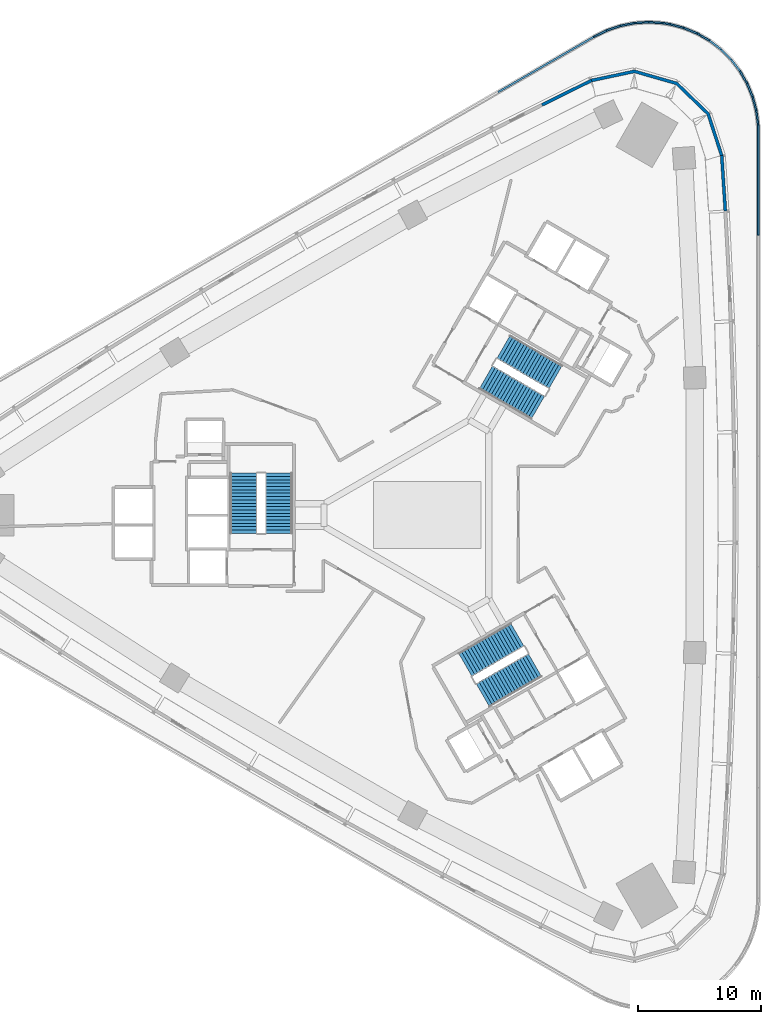
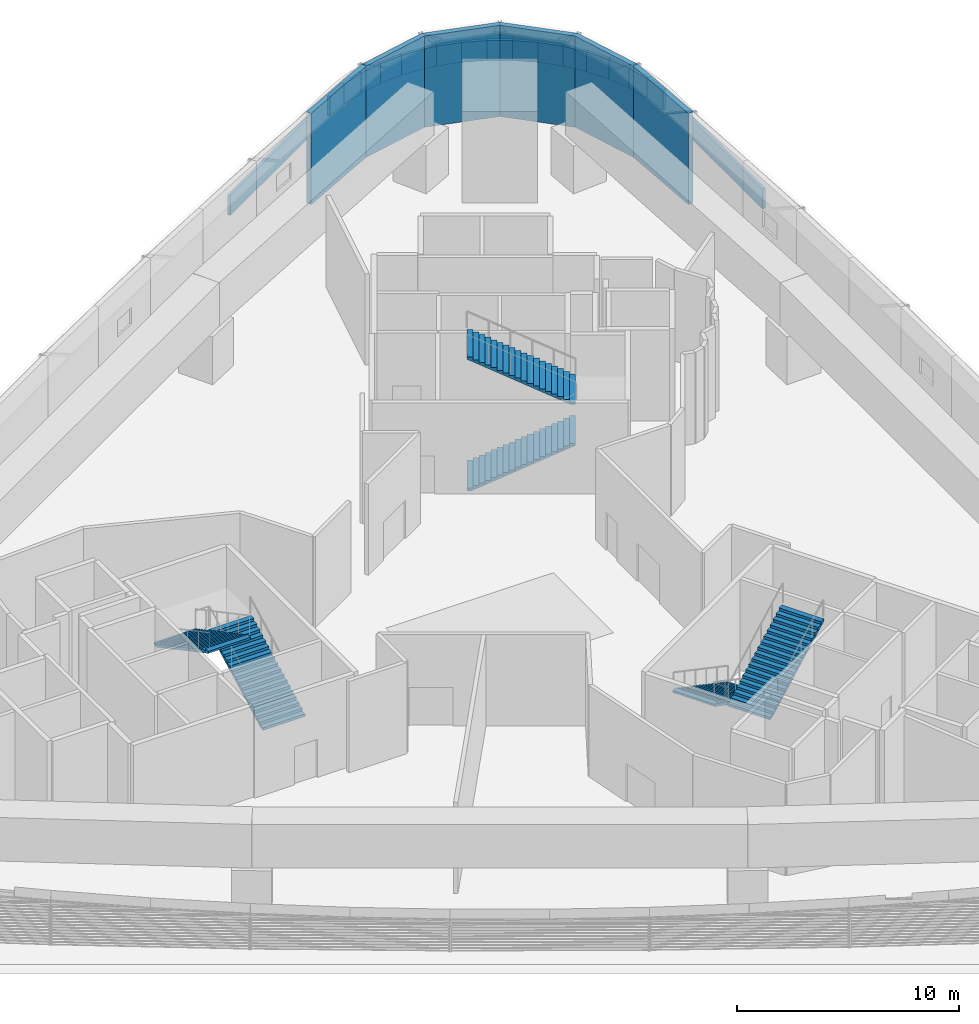
# One storey, part 7 of 11: 21 walls, 6 stair flights, 3 elements without a shape of their own.
"""IFC4 building model written with IfcOpenShell, lengths in metres."""

from ifc_helpers import new_model, si_unit, direction, frame, frame_2d, origin, place, context, subcontext, project, spatial, polyline, rectangle, outline, extrude, material, layer, layer_set, type_object, element, aggregate, save


model = new_model("IFC4")

# Units and contexts
model_context = context("Model", 3, precision=1e-05, world=origin(), true_north=direction((0.0, 1.0)))
body_context = subcontext(model_context, "Body", "Model", "MODEL_VIEW")
ifc_project = project(units=[si_unit("LENGTHUNIT", "METRE"), si_unit("AREAUNIT", "SQUARE_METRE"), si_unit("VOLUMEUNIT", "CUBIC_METRE"), si_unit("PLANEANGLEUNIT", "RADIAN"), si_unit("MASSUNIT", "GRAM", prefix="KILO")], contexts=[model_context])

# Site, building, storey
site_placement = place(None, origin())
site = spatial("IfcSite", under=ifc_project, at=site_placement, CompositionType="ELEMENT")
building_placement = place(site_placement, origin())
building = spatial("IfcBuilding", under=site, at=building_placement, Name="Tamra Quay Hotel Tower", CompositionType="ELEMENT")
storey_placement = place(building_placement, frame((0.0, 0.0, 29.5)))
storey = spatial("IfcBuildingStorey", under=building, at=storey_placement, Name="L05", CompositionType="ELEMENT", Elevation=29.5)

# Walls
ifc_material_1 = material(Name="Blockwork masonry plastered", Category="masonry")
ifc_layer_1 = layer(ifc_material_1, 0.25)
ifc_layer_set_1 = layer_set([ifc_layer_1], Name="EXTERNAL WALL 250")
wall_type_1 = type_object("IfcWallType", Name="EXTERNAL WALL 250", PredefinedType="SOLIDWALL", material=ifc_layer_set_1)
for number, where, z_axis, x_axis, name in (
    (1, (23.946533203125, 29.2490234375, 0.0), (0.0, 0.0, 1.0), (0.064788077766, -0.997899045485, 0.0), "EW1"),
    (2, (9.319580078125, 33.36865234375, 0.0), (0.0, 0.0, 1.0), (0.896606747497, 0.442827664382, 0.0), "EW1"),
):
    element("IfcWall", number, at=place(storey_placement, frame(where, z_axis=z_axis, x_axis=x_axis)), inside=storey, type_object=wall_type_1, Name=name, PredefinedType="SOLIDWALL", context=body_context, shape_type="SweptSolid", body=[
        extrude(rectangle(XDim=4.503173828125, YDim=0.25, at=frame_2d((2.25146484375, 0.0))), origin(), (0.0, 0.0, 1.0), 5.02490234375),
    ])
wall_1_placement = place(storey_placement, origin())
element("IfcWall", 3, at=wall_1_placement, inside=storey, type_object=wall_type_1, Name="EW1", PredefinedType="SOLIDWALL", context=body_context, shape_type="SweptSolid", body=[
    extrude(outline(polyline([(24.071044921875, 29.257080078125), (22.94970703125, 32.708251953125), (20.33935546875, 35.22900390625), (16.851318359375, 36.229248046875), (13.302001953125, 35.474853515625), (13.353759765625, 35.230224609375), (16.84228515625, 35.9716796875), (20.210693359375, 35.005859375), (22.731201171875, 32.57177734375), (23.83349609375, 29.179931640625), (24.071044921875, 29.257080078125)])), origin(), (0.0, 0.0, 1.0), 5.02490234375),
])
ifc_material_2 = material(Name="Reinforced concrete M60 with render", Category="concrete")
ifc_layer_2 = layer(ifc_material_2, 0.14990234375)
ifc_layer_set_2 = layer_set([ifc_layer_2], Name="PARAPET WALL 150")
wall_type_2 = type_object("IfcWallType", Name="PARAPET WALL 150", PredefinedType="PARAPET", material=ifc_layer_set_2)
for number, where, z_axis, x_axis, name in (
    (4, (5.751708984375, 34.407958984375, 0.0), (0.0, 0.0, 1.0), (0.865875788734, 0.500259051376, 0.0), "PW0"),
    (5, (26.90576171875, 31.765625, 0.0), (0.0, 0.0, 1.0), (0.00029866144, -0.999999955401, 0.0), "PW0"),
):
    element("IfcWall", number, at=place(storey_placement, frame(where, z_axis=z_axis, x_axis=x_axis)), inside=storey, type_object=wall_type_2, Name=name, PredefinedType="PARAPET", context=body_context, shape_type="SweptSolid", body=[
        extrude(rectangle(XDim=8.991943359375, YDim=0.14990234375, at=frame_2d((4.49609375, 0.0))), origin(), (0.0, 0.0, 1.0), 1.10009765625),
    ])
wall_2_placement = place(storey_placement, frame((26.752685546875, 32.9228515625, 0.0), z_axis=(0.0, 0.0, 1.0), x_axis=(0.13046524346, -0.991452883524, 0.0)))
element("IfcWall", 6, at=wall_2_placement, inside=storey, type_object=wall_type_2, Name="PW0", PredefinedType="PARAPET", context=body_context, shape_type="SweptSolid", body=[
    extrude(rectangle(XDim=1.177001953125, YDim=0.14990234375, at=frame_2d((0.58837890625, 0.0))), origin(), (0.0, 0.0, 1.0), 1.10009765625),
])
for number, where, z_axis, x_axis, name in (
    (7, (26.449951171875, 34.050537109375, 0.0), (0.0, 0.0, 1.0), (0.258798277302, -0.965931390765, 0.0), "PW0"),
    (8, (26.002685546875, 35.12890625, 0.0), (0.0, 0.0, 1.0), (0.382626535499, -0.923903097912, 0.0), "PW0"),
    (9, (25.418212890625, 36.1396484375, 0.0), (0.0, 0.0, 1.0), (0.499997709859, -0.866026725994, 0.0), "PW0"),
):
    element("IfcWall", number, at=place(storey_placement, frame(where, z_axis=z_axis, x_axis=x_axis)), inside=storey, type_object=wall_type_2, Name=name, PredefinedType="PARAPET", context=body_context, shape_type="SweptSolid", body=[
        extrude(rectangle(XDim=1.17724609375, YDim=0.14990234375, at=frame_2d((0.588623046875, 0.0))), origin(), (0.0, 0.0, 1.0), 1.10009765625),
    ])
wall_3_placement = place(storey_placement, frame((24.70703125, 37.0654296875, 0.0), z_axis=(0.0, 0.0, 1.0), x_axis=(0.608788436908, -0.793332615671, 0.0)))
element("IfcWall", 10, at=wall_3_placement, inside=storey, type_object=wall_type_2, Name="PW0", PredefinedType="PARAPET", context=body_context, shape_type="SweptSolid", body=[
    extrude(rectangle(XDim=1.177490234375, YDim=0.14990234375, at=frame_2d((0.5888671875, 0.0))), origin(), (0.0, 0.0, 1.0), 1.10009765625),
])
wall_4_placement = place(storey_placement, frame((23.881103515625, 37.890380859375, 0.0), z_axis=(0.0, 0.0, 1.0), x_axis=(0.707210470133, -0.707003077033, 0.0)))
element("IfcWall", 11, at=wall_4_placement, inside=storey, type_object=wall_type_2, Name="PW0", PredefinedType="PARAPET", context=body_context, shape_type="SweptSolid", body=[
    extrude(rectangle(XDim=1.17724609375, YDim=0.14990234375, at=frame_2d((0.588623046875, 0.0))), origin(), (0.0, 0.0, 1.0), 1.10009765625),
])
wall_5_placement = place(storey_placement, frame((22.95458984375, 38.6005859375, 0.0), z_axis=(0.0, 0.0, 1.0), x_axis=(0.793355917636, -0.608758070133, 0.0)))
element("IfcWall", 12, at=wall_5_placement, inside=storey, type_object=wall_type_2, Name="PW0", PredefinedType="PARAPET", context=body_context, shape_type="SweptSolid", body=[
    extrude(rectangle(XDim=1.177001953125, YDim=0.14990234375, at=frame_2d((0.58837890625, 0.0))), origin(), (0.0, 0.0, 1.0), 1.10009765625),
])
for number, where, z_axis, x_axis, name in (
    (13, (21.943115234375, 39.183837890625, 0.0), (0.0, 0.0, 1.0), (0.866026725994, -0.499997709859, 0.0), "PW0"),
    (14, (20.8642578125, 39.6298828125, 0.0), (0.0, 0.0, 1.0), (0.923903097912, -0.382626535499, 0.0), "PW0"),
    (15, (19.736328125, 39.931640625, 0.0), (0.0, 0.0, 1.0), (0.965931390765, -0.258798277302, 0.0), "PW0"),
):
    element("IfcWall", number, at=place(storey_placement, frame(where, z_axis=z_axis, x_axis=x_axis)), inside=storey, type_object=wall_type_2, Name=name, PredefinedType="PARAPET", context=body_context, shape_type="SweptSolid", body=[
        extrude(rectangle(XDim=1.17724609375, YDim=0.14990234375, at=frame_2d((0.588623046875, 0.0))), origin(), (0.0, 0.0, 1.0), 1.10009765625),
    ])
wall_6_placement = place(storey_placement, frame((19.16259765625, 40.02587890625, 0.0), z_axis=(0.0, 0.0, 1.0), x_axis=(0.986639306863, -0.162919851932, 0.0)))
element("IfcWall", 16, at=wall_6_placement, inside=storey, type_object=wall_type_2, Name="PW0", PredefinedType="PARAPET", context=body_context, shape_type="SweptSolid", body=[
    extrude(rectangle(XDim=0.5888671875, YDim=0.14990234375, at=frame_2d((0.29443359375, 0.0))), origin(), (0.0, 0.0, 1.0), 1.10009765625),
])
for number, where, z_axis, x_axis, name in (
    (17, (17.9951171875, 40.10205078125, 0.0), (0.0, 0.0, 1.0), (0.997864267614, -0.065321538715, 0.0), "PW0"),
    (18, (16.830078125, 40.025146484375, 0.0), (0.0, 0.0, 1.0), (0.997864267614, 0.065321538715, 0.0), "PW0"),
    (19, (15.685302734375, 39.796630859375, 0.0), (0.0, 0.0, 1.0), (0.980771650168, 0.195158833328, 0.0), "PW0"),
    (20, (14.580078125, 39.4208984375, 0.0), (0.0, 0.0, 1.0), (0.946926856189, 0.321449107992, 0.0), "PW0"),
    (21, (13.533203125, 38.90380859375, 0.0), (0.0, 0.0, 1.0), (0.896860728939, 0.442313048515, 0.0), "PW0"),
):
    element("IfcWall", number, at=place(storey_placement, frame(where, z_axis=z_axis, x_axis=x_axis)), inside=storey, type_object=wall_type_2, Name=name, PredefinedType="PARAPET", context=body_context, shape_type="SweptSolid", body=[
        extrude(rectangle(XDim=1.17724609375, YDim=0.14990234375, at=frame_2d((0.588623046875, 0.0))), origin(), (0.0, 0.0, 1.0), 1.10009765625),
    ])

# Stair, stair flights
ifc_material_3 = material(Name="Exit stair 2200 38 risers 144.7 going 272")
stair_type = type_object("IfcStairType", Name="Exit stair 2200 38 risers 144.7 going 272", PredefinedType="HALF_TURN_STAIR", material=ifc_material_3)
stair_1_placement = place(storey_placement, origin())
stair_1 = element("IfcStair", 22, at=stair_1_placement, inside=storey, type_object=stair_type, Name="L05 Exit stair ST3", PredefinedType="HALF_TURN_STAIR")
ifc_material_4 = material(Name="Exit stair flight 2200 19 risers 144.7")
stair_flight_type = type_object("IfcStairFlightType", Name="Exit stair flight 2200 19 risers 144.7", PredefinedType="STRAIGHT", material=ifc_material_4)
stair_flight_1_placement = place(storey_placement, frame((-12.082275390625, -1.47998046875, 0.0), z_axis=(0.0, 0.0, 1.0), x_axis=(0.0, 1.0, 0.0)))
stair_flight_1 = element("IfcStairFlight", 23, at=stair_flight_1_placement, type_object=stair_flight_type, Name="ST3 flight 1", NumberOfRisers=19, NumberOfTreads=18, PredefinedType="STRAIGHT", RiserHeight=0.144736842, TreadLength=0.272, context=body_context, shape_type="SweptSolid", body=[
    extrude(outline(polyline([(0.0, 0.0), (0.0, 0.144775390625), (0.27197265625, 0.144775390625), (0.27197265625, 0.28955078125), (0.5439453125, 0.28955078125), (0.5439453125, 0.434326171875), (0.81591796875, 0.434326171875), (0.81591796875, 0.578857421875), (1.087890625, 0.578857421875), (1.087890625, 0.7236328125), (1.360107421875, 0.7236328125), (1.360107421875, 0.868408203125), (1.632080078125, 0.868408203125), (1.632080078125, 1.01318359375), (1.904052734375, 1.01318359375), (1.904052734375, 1.157958984375), (2.176025390625, 1.157958984375), (2.176025390625, 1.302734375), (2.447998046875, 1.302734375), (2.447998046875, 1.447265625), (2.719970703125, 1.447265625), (2.719970703125, 1.592041015625), (2.991943359375, 1.592041015625), (2.991943359375, 1.73681640625), (3.263916015625, 1.73681640625), (3.263916015625, 1.881591796875), (3.535888671875, 1.881591796875), (3.535888671875, 2.0263671875), (3.80810546875, 2.0263671875), (3.80810546875, 2.171142578125), (4.080078125, 2.171142578125), (4.080078125, 2.315673828125), (4.35205078125, 2.315673828125), (4.35205078125, 2.46044921875), (4.6240234375, 2.46044921875), (4.6240234375, 2.605224609375), (4.89599609375, 2.605224609375), (4.89599609375, 2.75), (4.89599609375, 2.491943359375), (0.213134765625, 0.0), (0.0, 0.0)])), frame((0.0, 1.10009765625, 0.0), z_axis=(0.0, -1.0, 0.0), x_axis=(1.0, 0.0, 0.0)), (0.0, 0.0, 1.0), 2.199951171875),
])
stair_flight_2_placement = place(storey_placement, frame((-14.94140625, 3.416015625, 2.75), z_axis=(0.0, 0.0, 1.0), x_axis=(0.0, -1.0, 0.0)))
stair_flight_2 = element("IfcStairFlight", 24, at=stair_flight_2_placement, type_object=stair_flight_type, Name="ST3 flight 2", NumberOfRisers=19, NumberOfTreads=18, PredefinedType="STRAIGHT", RiserHeight=0.144736842, TreadLength=0.272, context=body_context, shape_type="SweptSolid", body=[
    extrude(outline(polyline([(0.0, 0.0), (0.0, 0.144775390625), (0.27197265625, 0.144775390625), (0.27197265625, 0.28955078125), (0.5439453125, 0.28955078125), (0.5439453125, 0.434326171875), (0.81591796875, 0.434326171875), (0.81591796875, 0.578857421875), (1.087890625, 0.578857421875), (1.087890625, 0.7236328125), (1.360107421875, 0.7236328125), (1.360107421875, 0.868408203125), (1.632080078125, 0.868408203125), (1.632080078125, 1.01318359375), (1.904052734375, 1.01318359375), (1.904052734375, 1.157958984375), (2.176025390625, 1.157958984375), (2.176025390625, 1.302734375), (2.447998046875, 1.302734375), (2.447998046875, 1.447265625), (2.719970703125, 1.447265625), (2.719970703125, 1.592041015625), (2.991943359375, 1.592041015625), (2.991943359375, 1.73681640625), (3.263916015625, 1.73681640625), (3.263916015625, 1.881591796875), (3.535888671875, 1.881591796875), (3.535888671875, 2.0263671875), (3.80810546875, 2.0263671875), (3.80810546875, 2.171142578125), (4.080078125, 2.171142578125), (4.080078125, 2.315673828125), (4.35205078125, 2.315673828125), (4.35205078125, 2.46044921875), (4.6240234375, 2.46044921875), (4.6240234375, 2.605224609375), (4.89599609375, 2.605224609375), (4.89599609375, 2.75), (4.89599609375, 2.491943359375), (0.213134765625, 0.0), (0.0, 0.0)])), frame((0.0, 1.10009765625, 0.0), z_axis=(0.0, -1.0, 0.0), x_axis=(1.0, 0.0, 0.0)), (0.0, 0.0, 1.0), 2.199951171875),
])
aggregate(stair_1, [stair_flight_1, stair_flight_2])

stair_2_placement = place(storey_placement, origin())
stair_2 = element("IfcStair", 25, at=stair_2_placement, inside=storey, type_object=stair_type, Name="L05 Exit stair ST1", PredefinedType="HALF_TURN_STAIR")
stair_flight_3_placement = place(storey_placement, frame((4.75927734375, 11.20361328125, 0.0), z_axis=(0.0, 0.0, 1.0), x_axis=(0.866025403784, -0.5, 0.0)))
stair_flight_3 = element("IfcStairFlight", 26, at=stair_flight_3_placement, type_object=stair_flight_type, Name="ST1 flight 1", NumberOfRisers=19, NumberOfTreads=18, PredefinedType="STRAIGHT", RiserHeight=0.144736842, TreadLength=0.272, context=body_context, shape_type="SweptSolid", body=[
    extrude(outline(polyline([(0.0, 0.0), (0.0, 0.144775390625), (0.27197265625, 0.144775390625), (0.27197265625, 0.28955078125), (0.5439453125, 0.28955078125), (0.5439453125, 0.434326171875), (0.81591796875, 0.434326171875), (0.81591796875, 0.578857421875), (1.087890625, 0.578857421875), (1.087890625, 0.7236328125), (1.360107421875, 0.7236328125), (1.360107421875, 0.868408203125), (1.632080078125, 0.868408203125), (1.632080078125, 1.01318359375), (1.904052734375, 1.01318359375), (1.904052734375, 1.157958984375), (2.176025390625, 1.157958984375), (2.176025390625, 1.302734375), (2.447998046875, 1.302734375), (2.447998046875, 1.447265625), (2.719970703125, 1.447265625), (2.719970703125, 1.592041015625), (2.991943359375, 1.592041015625), (2.991943359375, 1.73681640625), (3.263916015625, 1.73681640625), (3.263916015625, 1.881591796875), (3.535888671875, 1.881591796875), (3.535888671875, 2.0263671875), (3.80810546875, 2.0263671875), (3.80810546875, 2.171142578125), (4.080078125, 2.171142578125), (4.080078125, 2.315673828125), (4.35205078125, 2.315673828125), (4.35205078125, 2.46044921875), (4.6240234375, 2.46044921875), (4.6240234375, 2.605224609375), (4.89599609375, 2.605224609375), (4.89599609375, 2.75), (4.89599609375, 2.491943359375), (0.213134765625, 0.0), (0.0, 0.0)])), frame((0.0, 1.10009765625, 0.0), z_axis=(0.0, -1.0, 0.0), x_axis=(1.0, 0.0, 0.0)), (0.0, 0.0, 1.0), 2.199951171875),
])
stair_flight_4_placement = place(storey_placement, frame((10.428955078125, 11.231689453125, 2.75), z_axis=(0.0, 0.0, 1.0), x_axis=(-0.866025403784, 0.5, 0.0)))
stair_flight_4 = element("IfcStairFlight", 27, at=stair_flight_4_placement, type_object=stair_flight_type, Name="ST1 flight 2", NumberOfRisers=19, NumberOfTreads=18, PredefinedType="STRAIGHT", RiserHeight=0.144736842, TreadLength=0.272, context=body_context, shape_type="SweptSolid", body=[
    extrude(outline(polyline([(0.0, 0.0), (0.0, 0.144775390625), (0.27197265625, 0.144775390625), (0.27197265625, 0.28955078125), (0.5439453125, 0.28955078125), (0.5439453125, 0.434326171875), (0.81591796875, 0.434326171875), (0.81591796875, 0.578857421875), (1.087890625, 0.578857421875), (1.087890625, 0.7236328125), (1.360107421875, 0.7236328125), (1.360107421875, 0.868408203125), (1.632080078125, 0.868408203125), (1.632080078125, 1.01318359375), (1.904052734375, 1.01318359375), (1.904052734375, 1.157958984375), (2.176025390625, 1.157958984375), (2.176025390625, 1.302734375), (2.447998046875, 1.302734375), (2.447998046875, 1.447265625), (2.719970703125, 1.447265625), (2.719970703125, 1.592041015625), (2.991943359375, 1.592041015625), (2.991943359375, 1.73681640625), (3.263916015625, 1.73681640625), (3.263916015625, 1.881591796875), (3.535888671875, 1.881591796875), (3.535888671875, 2.0263671875), (3.80810546875, 2.0263671875), (3.80810546875, 2.171142578125), (4.080078125, 2.171142578125), (4.080078125, 2.315673828125), (4.35205078125, 2.315673828125), (4.35205078125, 2.46044921875), (4.6240234375, 2.46044921875), (4.6240234375, 2.605224609375), (4.89599609375, 2.605224609375), (4.89599609375, 2.75), (4.89599609375, 2.491943359375), (0.213134765625, 0.0), (0.0, 0.0)])), frame((0.0, 1.10009765625, 0.0), z_axis=(0.0, -1.0, 0.0), x_axis=(1.0, 0.0, 0.0)), (0.0, 0.0, 1.0), 2.199951171875),
])
aggregate(stair_2, [stair_flight_3, stair_flight_4])

stair_3_placement = place(storey_placement, origin())
stair_3 = element("IfcStair", 28, at=stair_3_placement, inside=storey, type_object=stair_type, Name="L05 Exit stair ST2", PredefinedType="HALF_TURN_STAIR")
stair_flight_5_placement = place(storey_placement, frame((7.322998046875, -9.7236328125, 0.0), z_axis=(0.0, 0.0, 1.0), x_axis=(-0.866025403784, -0.5, 0.0)))
stair_flight_5 = element("IfcStairFlight", 29, at=stair_flight_5_placement, type_object=stair_flight_type, Name="ST2 flight 1", NumberOfRisers=19, NumberOfTreads=18, PredefinedType="STRAIGHT", RiserHeight=0.144736842, TreadLength=0.272, context=body_context, shape_type="SweptSolid", body=[
    extrude(outline(polyline([(0.0, 0.0), (0.0, 0.144775390625), (0.27197265625, 0.144775390625), (0.27197265625, 0.28955078125), (0.5439453125, 0.28955078125), (0.5439453125, 0.434326171875), (0.81591796875, 0.434326171875), (0.81591796875, 0.578857421875), (1.087890625, 0.578857421875), (1.087890625, 0.7236328125), (1.360107421875, 0.7236328125), (1.360107421875, 0.868408203125), (1.632080078125, 0.868408203125), (1.632080078125, 1.01318359375), (1.904052734375, 1.01318359375), (1.904052734375, 1.157958984375), (2.176025390625, 1.157958984375), (2.176025390625, 1.302734375), (2.447998046875, 1.302734375), (2.447998046875, 1.447265625), (2.719970703125, 1.447265625), (2.719970703125, 1.592041015625), (2.991943359375, 1.592041015625), (2.991943359375, 1.73681640625), (3.263916015625, 1.73681640625), (3.263916015625, 1.881591796875), (3.535888671875, 1.881591796875), (3.535888671875, 2.0263671875), (3.80810546875, 2.0263671875), (3.80810546875, 2.171142578125), (4.080078125, 2.171142578125), (4.080078125, 2.315673828125), (4.35205078125, 2.315673828125), (4.35205078125, 2.46044921875), (4.6240234375, 2.46044921875), (4.6240234375, 2.605224609375), (4.89599609375, 2.605224609375), (4.89599609375, 2.75), (4.89599609375, 2.491943359375), (0.213134765625, 0.0), (0.0, 0.0)])), frame((0.0, 1.10009765625, 0.0), z_axis=(0.0, -1.0, 0.0), x_axis=(1.0, 0.0, 0.0)), (0.0, 0.0, 1.0), 2.199951171875),
])
stair_flight_6_placement = place(storey_placement, frame((4.512451171875, -14.6474609375, 2.75), z_axis=(0.0, 0.0, 1.0), x_axis=(0.866025403784, 0.5, 0.0)))
stair_flight_6 = element("IfcStairFlight", 30, at=stair_flight_6_placement, type_object=stair_flight_type, Name="ST2 flight 2", NumberOfRisers=19, NumberOfTreads=18, PredefinedType="STRAIGHT", RiserHeight=0.144736842, TreadLength=0.272, context=body_context, shape_type="SweptSolid", body=[
    extrude(outline(polyline([(0.0, 0.0), (0.0, 0.144775390625), (0.27197265625, 0.144775390625), (0.27197265625, 0.28955078125), (0.5439453125, 0.28955078125), (0.5439453125, 0.434326171875), (0.81591796875, 0.434326171875), (0.81591796875, 0.578857421875), (1.087890625, 0.578857421875), (1.087890625, 0.7236328125), (1.360107421875, 0.7236328125), (1.360107421875, 0.868408203125), (1.632080078125, 0.868408203125), (1.632080078125, 1.01318359375), (1.904052734375, 1.01318359375), (1.904052734375, 1.157958984375), (2.176025390625, 1.157958984375), (2.176025390625, 1.302734375), (2.447998046875, 1.302734375), (2.447998046875, 1.447265625), (2.719970703125, 1.447265625), (2.719970703125, 1.592041015625), (2.991943359375, 1.592041015625), (2.991943359375, 1.73681640625), (3.263916015625, 1.73681640625), (3.263916015625, 1.881591796875), (3.535888671875, 1.881591796875), (3.535888671875, 2.0263671875), (3.80810546875, 2.0263671875), (3.80810546875, 2.171142578125), (4.080078125, 2.171142578125), (4.080078125, 2.315673828125), (4.35205078125, 2.315673828125), (4.35205078125, 2.46044921875), (4.6240234375, 2.46044921875), (4.6240234375, 2.605224609375), (4.89599609375, 2.605224609375), (4.89599609375, 2.75), (4.89599609375, 2.491943359375), (0.213134765625, 0.0), (0.0, 0.0)])), frame((0.0, 1.10009765625, 0.0), z_axis=(0.0, -1.0, 0.0), x_axis=(1.0, 0.0, 0.0)), (0.0, 0.0, 1.0), 2.199951171875),
])
aggregate(stair_3, [stair_flight_5, stair_flight_6])

save(model, "model.ifc")
